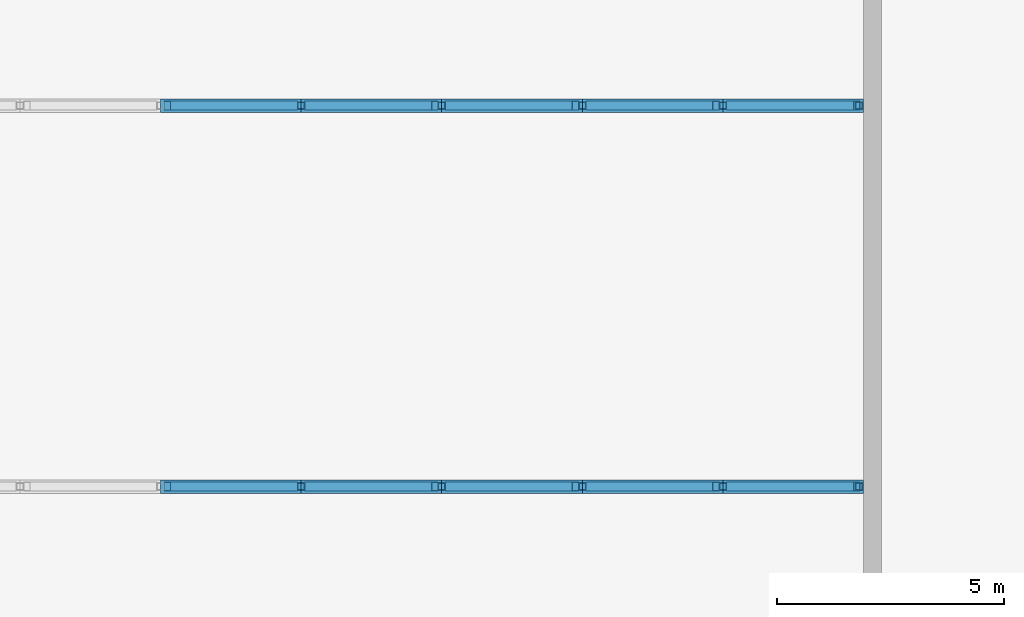
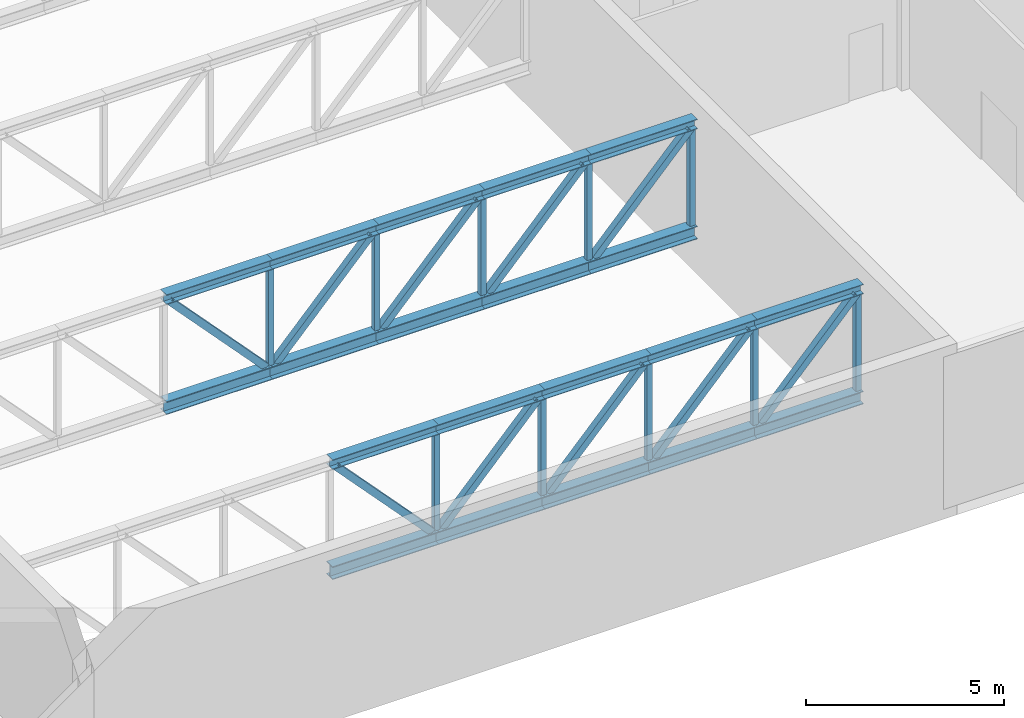
# One storey, part 8 of 26: 40 members.
"""IFC4 building model written with IfcOpenShell, lengths in metres."""

from ifc_helpers import new_model, si_unit, direction, frame, origin, origin_2d, place, context, subcontext, project, spatial, hollow_rectangle, i_section, extrude, material, material_profile, profile_set, type_object, element, save


model = new_model("IFC4")

# Units and contexts
model_context = context("Model", 3, precision=1e-05, world=origin(), true_north=direction((0.0, 1.0)))
body_context = subcontext(model_context, "Body", "Model", "MODEL_VIEW")
ifc_project = project(units=[si_unit("LENGTHUNIT", "METRE"), si_unit("AREAUNIT", "SQUARE_METRE"), si_unit("VOLUMEUNIT", "CUBIC_METRE"), si_unit("PLANEANGLEUNIT", "RADIAN"), si_unit("MASSUNIT", "GRAM", prefix="KILO")], contexts=[model_context])

# Site, building, storey
site_placement = place(None, origin())
site = spatial("IfcSite", under=ifc_project, at=site_placement, CompositionType="ELEMENT")
building_placement = place(site_placement, origin())
building = spatial("IfcBuilding", under=site, at=building_placement, Name="Candeia Pilgrim Tower and Theatre", CompositionType="ELEMENT")
storey_placement = place(building_placement, frame((0.0, 0.0, 34.0)))
storey = spatial("IfcBuildingStorey", under=building, at=storey_placement, Name="L05", CompositionType="ELEMENT", Elevation=34.0)

# Members
ifc_material = material(Name="Steel S355", Category="steel")
ifc_material_profile_1 = material_profile(ifc_material, i_section(OverallWidth=0.300048828125, OverallDepth=0.300048828125, WebThickness=0.010986328125, FlangeThickness=0.01904296875, at=origin_2d()))
ifc_profile_set_1 = profile_set([ifc_material_profile_1], Name="Steel S355")
member_type_1 = type_object("IfcMemberType", Name="Truss chord HEB 300", PredefinedType="CHORD", material=ifc_profile_set_1)
member_1_placement = place(storey_placement, frame((202.300048828125, 70.199951171875, 4.35009765625), z_axis=(1.0, 0.0, 0.0), x_axis=(0.0, 1.0, 0.0)))
element("IfcMember", 1, at=member_1_placement, inside=storey, type_object=member_type_1, Name="Truss 1 top chord 4", PredefinedType="CHORD", context=body_context, shape_type="SweptSolid", body=[
    extrude(i_section(OverallWidth=0.300048828125, OverallDepth=0.300048828125, WebThickness=0.010986328125, FlangeThickness=0.01904296875, at=origin_2d()), origin(), (0.0, 0.0, 1.0), 3.099853515625),
])
for number, where, z_axis, x_axis, name in (
    (2, (205.39990234375, 70.199951171875, 4.35009765625), (1.0, 0.0, 0.0), (0.0, 1.0, 0.0), "Truss 1 top chord 5"),
    (3, (208.5, 70.199951171875, 4.35009765625), (1.0, 0.0, 0.0), (0.0, 1.0, 0.0), "Truss 1 top chord 6"),
):
    element("IfcMember", number, at=place(storey_placement, frame(where, z_axis=z_axis, x_axis=x_axis)), inside=storey, type_object=member_type_1, Name=name, PredefinedType="CHORD", context=body_context, shape_type="SweptSolid", body=[
        extrude(i_section(OverallWidth=0.300048828125, OverallDepth=0.300048828125, WebThickness=0.010986328125, FlangeThickness=0.01904296875, at=origin_2d()), origin(), (0.0, 0.0, 1.0), 3.10009765625),
    ])
member_2_placement = place(storey_placement, frame((211.60009765625, 70.199951171875, 4.35009765625), z_axis=(1.0, 0.0, 0.0), x_axis=(0.0, 1.0, 0.0)))
element("IfcMember", 4, at=member_2_placement, inside=storey, type_object=member_type_1, Name="Truss 1 top chord 7", PredefinedType="CHORD", context=body_context, shape_type="SweptSolid", body=[
    extrude(i_section(OverallWidth=0.300048828125, OverallDepth=0.300048828125, WebThickness=0.010986328125, FlangeThickness=0.01904296875, at=origin_2d()), origin(), (0.0, 0.0, 1.0), 3.099853515625),
])
member_3_placement = place(storey_placement, frame((214.699951171875, 70.199951171875, 4.35009765625), z_axis=(1.0, 0.0, 0.0), x_axis=(0.0, 1.0, 0.0)))
element("IfcMember", 5, at=member_3_placement, inside=storey, type_object=member_type_1, Name="Truss 1 top chord 8", PredefinedType="CHORD", context=body_context, shape_type="SweptSolid", body=[
    extrude(i_section(OverallWidth=0.300048828125, OverallDepth=0.300048828125, WebThickness=0.010986328125, FlangeThickness=0.01904296875, at=origin_2d()), origin(), (0.0, 0.0, 1.0), 3.10009765625),
])
member_4_placement = place(storey_placement, frame((202.300048828125, 78.60009765625, 4.35009765625), z_axis=(1.0, 0.0, 0.0), x_axis=(0.0, 1.0, 0.0)))
element("IfcMember", 6, at=member_4_placement, inside=storey, type_object=member_type_1, Name="Truss 2 top chord 4", PredefinedType="CHORD", context=body_context, shape_type="SweptSolid", body=[
    extrude(i_section(OverallWidth=0.300048828125, OverallDepth=0.300048828125, WebThickness=0.010986328125, FlangeThickness=0.01904296875, at=origin_2d()), origin(), (0.0, 0.0, 1.0), 3.099853515625),
])
for number, where, z_axis, x_axis, name in (
    (7, (205.39990234375, 78.60009765625, 4.35009765625), (1.0, 0.0, 0.0), (0.0, 1.0, 0.0), "Truss 2 top chord 5"),
    (8, (208.5, 78.60009765625, 4.35009765625), (1.0, 0.0, 0.0), (0.0, 1.0, 0.0), "Truss 2 top chord 6"),
):
    element("IfcMember", number, at=place(storey_placement, frame(where, z_axis=z_axis, x_axis=x_axis)), inside=storey, type_object=member_type_1, Name=name, PredefinedType="CHORD", context=body_context, shape_type="SweptSolid", body=[
        extrude(i_section(OverallWidth=0.300048828125, OverallDepth=0.300048828125, WebThickness=0.010986328125, FlangeThickness=0.01904296875, at=origin_2d()), origin(), (0.0, 0.0, 1.0), 3.10009765625),
    ])
member_5_placement = place(storey_placement, frame((211.60009765625, 78.60009765625, 4.35009765625), z_axis=(1.0, 0.0, 0.0), x_axis=(0.0, 1.0, 0.0)))
element("IfcMember", 9, at=member_5_placement, inside=storey, type_object=member_type_1, Name="Truss 2 top chord 7", PredefinedType="CHORD", context=body_context, shape_type="SweptSolid", body=[
    extrude(i_section(OverallWidth=0.300048828125, OverallDepth=0.300048828125, WebThickness=0.010986328125, FlangeThickness=0.01904296875, at=origin_2d()), origin(), (0.0, 0.0, 1.0), 3.099853515625),
])
member_6_placement = place(storey_placement, frame((214.699951171875, 78.60009765625, 4.35009765625), z_axis=(1.0, 0.0, 0.0), x_axis=(0.0, 1.0, 0.0)))
element("IfcMember", 10, at=member_6_placement, inside=storey, type_object=member_type_1, Name="Truss 2 top chord 8", PredefinedType="CHORD", context=body_context, shape_type="SweptSolid", body=[
    extrude(i_section(OverallWidth=0.300048828125, OverallDepth=0.300048828125, WebThickness=0.010986328125, FlangeThickness=0.01904296875, at=origin_2d()), origin(), (0.0, 0.0, 1.0), 3.10009765625),
])
ifc_material_profile_2 = material_profile(ifc_material, i_section(OverallWidth=0.300048828125, OverallDepth=0.39990234375, WebThickness=0.013427734375, FlangeThickness=0.02392578125, at=origin_2d()))
ifc_profile_set_2 = profile_set([ifc_material_profile_2], Name="Steel S355")
member_type_2 = type_object("IfcMemberType", Name="Truss chord HEB 400", PredefinedType="CHORD", material=ifc_profile_set_2)
member_7_placement = place(storey_placement, frame((202.300048828125, 70.199951171875, 1.0), z_axis=(1.0, 0.0, 0.0), x_axis=(0.0, 1.0, 0.0)))
element("IfcMember", 11, at=member_7_placement, inside=storey, type_object=member_type_2, Name="Truss 1 bottom chord 4", PredefinedType="CHORD", context=body_context, shape_type="SweptSolid", body=[
    extrude(i_section(OverallWidth=0.300048828125, OverallDepth=0.39990234375, WebThickness=0.013427734375, FlangeThickness=0.02392578125, at=origin_2d()), origin(), (0.0, 0.0, 1.0), 3.099853515625),
])
for number, where, z_axis, x_axis, name in (
    (12, (205.39990234375, 70.199951171875, 1.0), (1.0, 0.0, 0.0), (0.0, 1.0, 0.0), "Truss 1 bottom chord 5"),
    (13, (208.5, 70.199951171875, 1.0), (1.0, 0.0, 0.0), (0.0, 1.0, 0.0), "Truss 1 bottom chord 6"),
):
    element("IfcMember", number, at=place(storey_placement, frame(where, z_axis=z_axis, x_axis=x_axis)), inside=storey, type_object=member_type_2, Name=name, PredefinedType="CHORD", context=body_context, shape_type="SweptSolid", body=[
        extrude(i_section(OverallWidth=0.300048828125, OverallDepth=0.39990234375, WebThickness=0.013427734375, FlangeThickness=0.02392578125, at=origin_2d()), origin(), (0.0, 0.0, 1.0), 3.10009765625),
    ])
member_8_placement = place(storey_placement, frame((211.60009765625, 70.199951171875, 1.0), z_axis=(1.0, 0.0, 0.0), x_axis=(0.0, 1.0, 0.0)))
element("IfcMember", 14, at=member_8_placement, inside=storey, type_object=member_type_2, Name="Truss 1 bottom chord 7", PredefinedType="CHORD", context=body_context, shape_type="SweptSolid", body=[
    extrude(i_section(OverallWidth=0.300048828125, OverallDepth=0.39990234375, WebThickness=0.013427734375, FlangeThickness=0.02392578125, at=origin_2d()), origin(), (0.0, 0.0, 1.0), 3.099853515625),
])
member_9_placement = place(storey_placement, frame((214.699951171875, 70.199951171875, 1.0), z_axis=(1.0, 0.0, 0.0), x_axis=(0.0, 1.0, 0.0)))
element("IfcMember", 15, at=member_9_placement, inside=storey, type_object=member_type_2, Name="Truss 1 bottom chord 8", PredefinedType="CHORD", context=body_context, shape_type="SweptSolid", body=[
    extrude(i_section(OverallWidth=0.300048828125, OverallDepth=0.39990234375, WebThickness=0.013427734375, FlangeThickness=0.02392578125, at=origin_2d()), origin(), (0.0, 0.0, 1.0), 3.10009765625),
])
member_10_placement = place(storey_placement, frame((202.300048828125, 78.60009765625, 1.0), z_axis=(1.0, 0.0, 0.0), x_axis=(0.0, 1.0, 0.0)))
element("IfcMember", 16, at=member_10_placement, inside=storey, type_object=member_type_2, Name="Truss 2 bottom chord 4", PredefinedType="CHORD", context=body_context, shape_type="SweptSolid", body=[
    extrude(i_section(OverallWidth=0.300048828125, OverallDepth=0.39990234375, WebThickness=0.013427734375, FlangeThickness=0.02392578125, at=origin_2d()), origin(), (0.0, 0.0, 1.0), 3.099853515625),
])
for number, where, z_axis, x_axis, name in (
    (17, (205.39990234375, 78.60009765625, 1.0), (1.0, 0.0, 0.0), (0.0, 1.0, 0.0), "Truss 2 bottom chord 5"),
    (18, (208.5, 78.60009765625, 1.0), (1.0, 0.0, 0.0), (0.0, 1.0, 0.0), "Truss 2 bottom chord 6"),
):
    element("IfcMember", number, at=place(storey_placement, frame(where, z_axis=z_axis, x_axis=x_axis)), inside=storey, type_object=member_type_2, Name=name, PredefinedType="CHORD", context=body_context, shape_type="SweptSolid", body=[
        extrude(i_section(OverallWidth=0.300048828125, OverallDepth=0.39990234375, WebThickness=0.013427734375, FlangeThickness=0.02392578125, at=origin_2d()), origin(), (0.0, 0.0, 1.0), 3.10009765625),
    ])
member_11_placement = place(storey_placement, frame((211.60009765625, 78.60009765625, 1.0), z_axis=(1.0, 0.0, 0.0), x_axis=(0.0, 1.0, 0.0)))
element("IfcMember", 19, at=member_11_placement, inside=storey, type_object=member_type_2, Name="Truss 2 bottom chord 7", PredefinedType="CHORD", context=body_context, shape_type="SweptSolid", body=[
    extrude(i_section(OverallWidth=0.300048828125, OverallDepth=0.39990234375, WebThickness=0.013427734375, FlangeThickness=0.02392578125, at=origin_2d()), origin(), (0.0, 0.0, 1.0), 3.099853515625),
])
member_12_placement = place(storey_placement, frame((214.699951171875, 78.60009765625, 1.0), z_axis=(1.0, 0.0, 0.0), x_axis=(0.0, 1.0, 0.0)))
element("IfcMember", 20, at=member_12_placement, inside=storey, type_object=member_type_2, Name="Truss 2 bottom chord 8", PredefinedType="CHORD", context=body_context, shape_type="SweptSolid", body=[
    extrude(i_section(OverallWidth=0.300048828125, OverallDepth=0.39990234375, WebThickness=0.013427734375, FlangeThickness=0.02392578125, at=origin_2d()), origin(), (0.0, 0.0, 1.0), 3.10009765625),
])
ifc_material_profile_3 = material_profile(ifc_material, hollow_rectangle(XDim=0.199951171875, YDim=0.199951171875, WallThickness=0.010009765625, at=origin_2d()))
ifc_profile_set_3 = profile_set([ifc_material_profile_3], Name="Steel S355")
member_type_3 = type_object("IfcMemberType", Name="Truss diagonal SHS 200x200x10", PredefinedType="BRACE", material=ifc_profile_set_3)
for number, where, z_axis, x_axis, name in (
    (21, (202.449951171875, 70.199951171875, 4.199951171875), (0.682324609438, 0.0, -0.731049333052), (0.0, 1.0, 0.0), "Truss 1 diagonal 4"),
    (22, (205.550048828125, 70.199951171875, 1.199951171875), (0.682324609438, 0.0, 0.731049333052), (0.0, 1.0, 0.0), "Truss 1 diagonal 5"),
    (23, (208.64990234375, 70.199951171875, 1.199951171875), (0.682324609438, 0.0, 0.731049333052), (0.0, 1.0, 0.0), "Truss 1 diagonal 6"),
    (24, (211.75, 70.199951171875, 1.199951171875), (0.682324609438, 0.0, 0.731049333052), (0.0, 1.0, 0.0), "Truss 1 diagonal 7"),
):
    element("IfcMember", number, at=place(storey_placement, frame(where, z_axis=z_axis, x_axis=x_axis)), inside=storey, type_object=member_type_3, Name=name, PredefinedType="BRACE", context=body_context, shape_type="SweptSolid", body=[
        extrude(hollow_rectangle(XDim=0.199951171875, YDim=0.199951171875, WallThickness=0.010009765625, at=origin_2d()), origin(), (0.0, 0.0, 1.0), 4.103759765625),
    ])
member_13_placement = place(storey_placement, frame((214.85009765625, 70.199951171875, 1.199951171875), z_axis=(0.6822928125, 0.0, 0.731079009417), x_axis=(0.0, 1.0, 0.0)))
element("IfcMember", 25, at=member_13_placement, inside=storey, type_object=member_type_3, Name="Truss 1 diagonal 8", PredefinedType="BRACE", context=body_context, shape_type="SweptSolid", body=[
    extrude(hollow_rectangle(XDim=0.199951171875, YDim=0.199951171875, WallThickness=0.010009765625, at=origin_2d()), origin(), (0.0, 0.0, 1.0), 4.103515625),
])
for number, where, z_axis, x_axis, name in (
    (26, (202.449951171875, 78.60009765625, 4.199951171875), (0.682324609438, 0.0, -0.731049333052), (0.0, 1.0, 0.0), "Truss 2 diagonal 4"),
    (27, (205.550048828125, 78.60009765625, 1.199951171875), (0.682324609438, 0.0, 0.731049333052), (0.0, 1.0, 0.0), "Truss 2 diagonal 5"),
    (28, (208.64990234375, 78.60009765625, 1.199951171875), (0.682324609438, 0.0, 0.731049333052), (0.0, 1.0, 0.0), "Truss 2 diagonal 6"),
    (29, (211.75, 78.60009765625, 1.199951171875), (0.682324609438, 0.0, 0.731049333052), (0.0, 1.0, 0.0), "Truss 2 diagonal 7"),
):
    element("IfcMember", number, at=place(storey_placement, frame(where, z_axis=z_axis, x_axis=x_axis)), inside=storey, type_object=member_type_3, Name=name, PredefinedType="BRACE", context=body_context, shape_type="SweptSolid", body=[
        extrude(hollow_rectangle(XDim=0.199951171875, YDim=0.199951171875, WallThickness=0.010009765625, at=origin_2d()), origin(), (0.0, 0.0, 1.0), 4.103759765625),
    ])
member_14_placement = place(storey_placement, frame((214.85009765625, 78.60009765625, 1.199951171875), z_axis=(0.6822928125, 0.0, 0.731079009417), x_axis=(0.0, 1.0, 0.0)))
element("IfcMember", 30, at=member_14_placement, inside=storey, type_object=member_type_3, Name="Truss 2 diagonal 8", PredefinedType="BRACE", context=body_context, shape_type="SweptSolid", body=[
    extrude(hollow_rectangle(XDim=0.199951171875, YDim=0.199951171875, WallThickness=0.010009765625, at=origin_2d()), origin(), (0.0, 0.0, 1.0), 4.103515625),
])
ifc_material_profile_4 = material_profile(ifc_material, hollow_rectangle(XDim=0.159912109375, YDim=0.159912109375, WallThickness=0.008056640625, at=origin_2d()))
ifc_profile_set_4 = profile_set([ifc_material_profile_4], Name="Steel S355")
member_type_4 = type_object("IfcMemberType", Name="Truss post SHS 160x160x8", PredefinedType="POST", material=ifc_profile_set_4)
for number, where, z_axis, x_axis, name in (
    (31, (205.39990234375, 70.199951171875, 1.199951171875), (0.0, 0.0, 1.0), (1.0, 0.0, 0.0), "Truss 1 post 5"),
    (32, (208.5, 70.199951171875, 1.199951171875), (0.0, 0.0, 1.0), (1.0, 0.0, 0.0), "Truss 1 post 6"),
    (33, (211.60009765625, 70.199951171875, 1.199951171875), (0.0, 0.0, 1.0), (1.0, 0.0, 0.0), "Truss 1 post 7"),
    (34, (214.699951171875, 70.199951171875, 1.199951171875), (0.0, 0.0, 1.0), (1.0, 0.0, 0.0), "Truss 1 post 8"),
    (35, (217.699951171875, 70.199951171875, 1.199951171875), (0.0, 0.0, 1.0), (1.0, 0.0, 0.0), "Truss 1 post 9"),
    (36, (205.39990234375, 78.60009765625, 1.199951171875), (0.0, 0.0, 1.0), (1.0, 0.0, 0.0), "Truss 2 post 5"),
    (37, (208.5, 78.60009765625, 1.199951171875), (0.0, 0.0, 1.0), (1.0, 0.0, 0.0), "Truss 2 post 6"),
    (38, (211.60009765625, 78.60009765625, 1.199951171875), (0.0, 0.0, 1.0), (1.0, 0.0, 0.0), "Truss 2 post 7"),
    (39, (214.699951171875, 78.60009765625, 1.199951171875), (0.0, 0.0, 1.0), (1.0, 0.0, 0.0), "Truss 2 post 8"),
    (40, (217.699951171875, 78.60009765625, 1.199951171875), (0.0, 0.0, 1.0), (1.0, 0.0, 0.0), "Truss 2 post 9"),
):
    element("IfcMember", number, at=place(storey_placement, frame(where, z_axis=z_axis, x_axis=x_axis)), inside=storey, type_object=member_type_4, Name=name, PredefinedType="POST", context=body_context, shape_type="SweptSolid", body=[
        extrude(hollow_rectangle(XDim=0.159912109375, YDim=0.159912109375, WallThickness=0.008056640625, at=origin_2d()), origin(), (0.0, 0.0, 1.0), 3.0),
    ])

save(model, "model.ifc")
